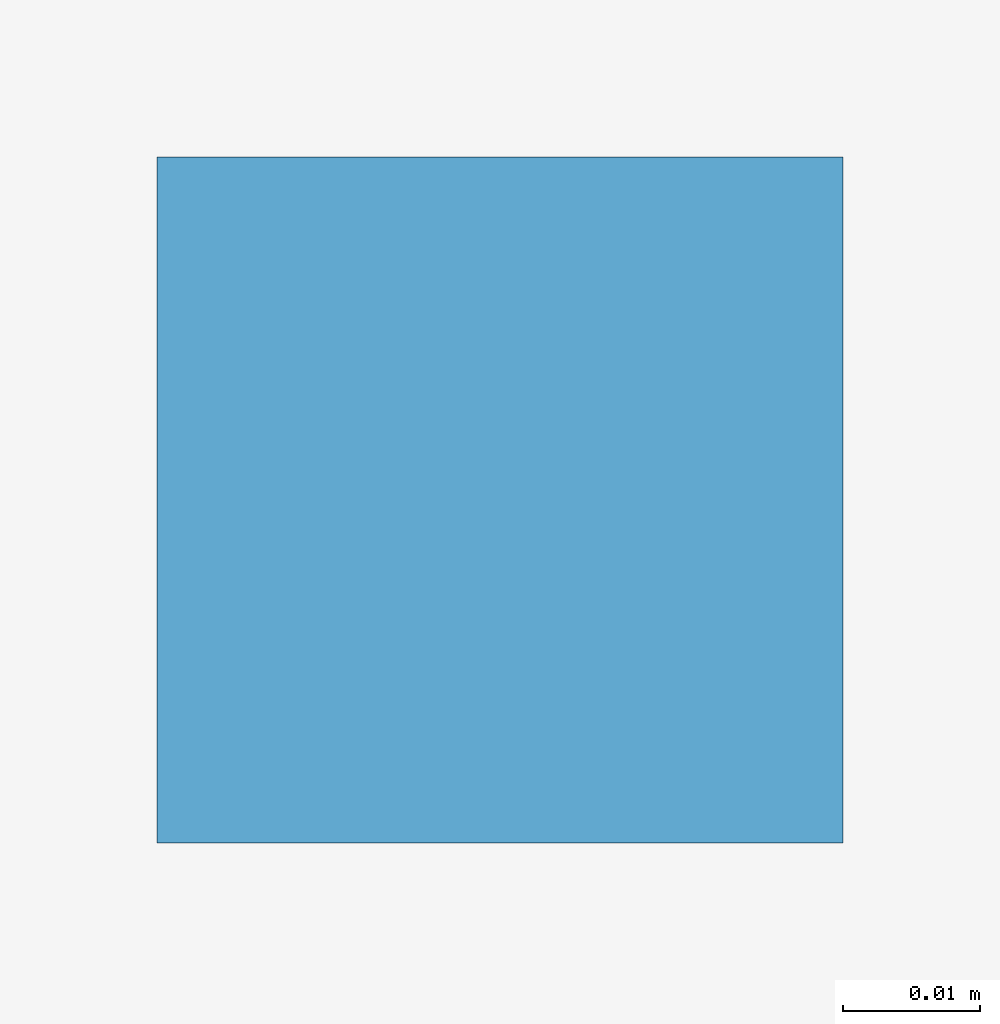
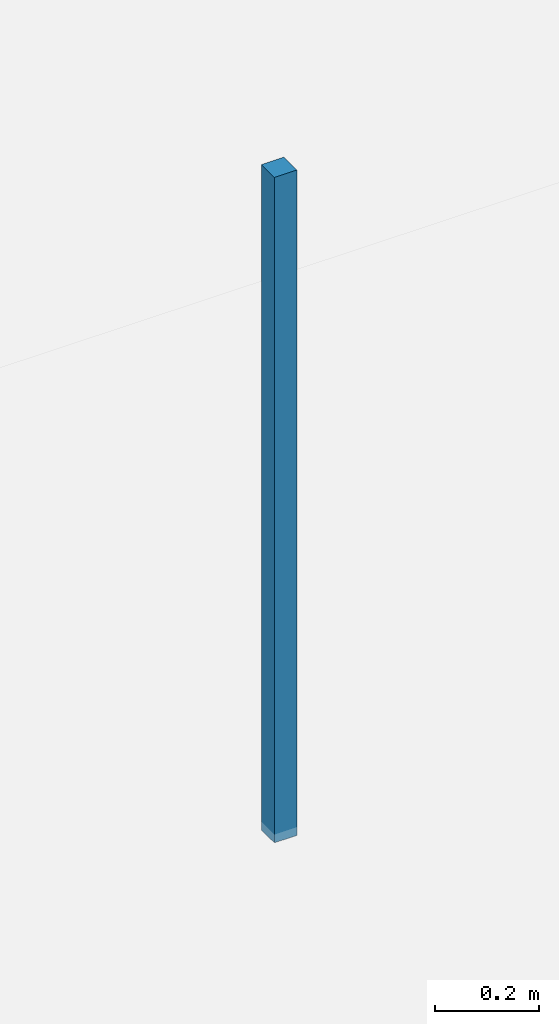
# One storey, part 43 of 54: 1 discrete accessory.
"""IFC4 building model written with IfcOpenShell, lengths in metres."""

from ifc_helpers import new_model, si_unit, direction, frame, origin, origin_2d, place, context, subcontext, project, spatial, rectangle, extrude, material, type_object, element, save


model = new_model("IFC4")

# Units and contexts
model_context = context("Model", 3, precision=1e-05, world=origin(), true_north=direction((0.0, 1.0)))
body_context = subcontext(model_context, "Body", "Model", "MODEL_VIEW")
ifc_project = project(units=[si_unit("LENGTHUNIT", "METRE"), si_unit("AREAUNIT", "SQUARE_METRE"), si_unit("VOLUMEUNIT", "CUBIC_METRE"), si_unit("PLANEANGLEUNIT", "RADIAN"), si_unit("MASSUNIT", "GRAM", prefix="KILO")], contexts=[model_context])

# Site, building, storey
site_placement = place(None, origin())
site = spatial("IfcSite", under=ifc_project, at=site_placement, CompositionType="ELEMENT")
building_placement = place(site_placement, origin())
building = spatial("IfcBuilding", under=site, at=building_placement, Name="Kazehaya Institute of Natural Sciences", CompositionType="ELEMENT")
storey_placement = place(building_placement, frame((0.0, 0.0, 10.43994140625)))
storey = spatial("IfcBuildingStorey", under=building, at=storey_placement, Name="L02", CompositionType="ELEMENT", Elevation=10.43994140625)

# Discrete accessory
ifc_material = material(Name="Structural steel SN490B", Category="steel")
discrete_accessory_type = type_object("IfcDiscreteAccessoryType", Name="ACC-CLG-HGR", PredefinedType="BRACKET", material=ifc_material)
discrete_accessory_placement = place(storey_placement, frame((72.602294921875, 104.005615234375, 3.032470703125), z_axis=(0.0, 0.0, 1.0), x_axis=(1.0, 0.0, 0.0)))
element("IfcDiscreteAccessory", 1, at=discrete_accessory_placement, inside=storey, type_object=discrete_accessory_type, Name="L02 ceiling suspension hanger 29", PredefinedType="BRACKET", context=body_context, shape_type="SweptSolid", body=[
    extrude(rectangle(XDim=0.050048828125, YDim=0.050048828125, at=origin_2d()), origin(), (0.0, 0.0, 1.0), 1.5673828125),
])

save(model, "model.ifc")
